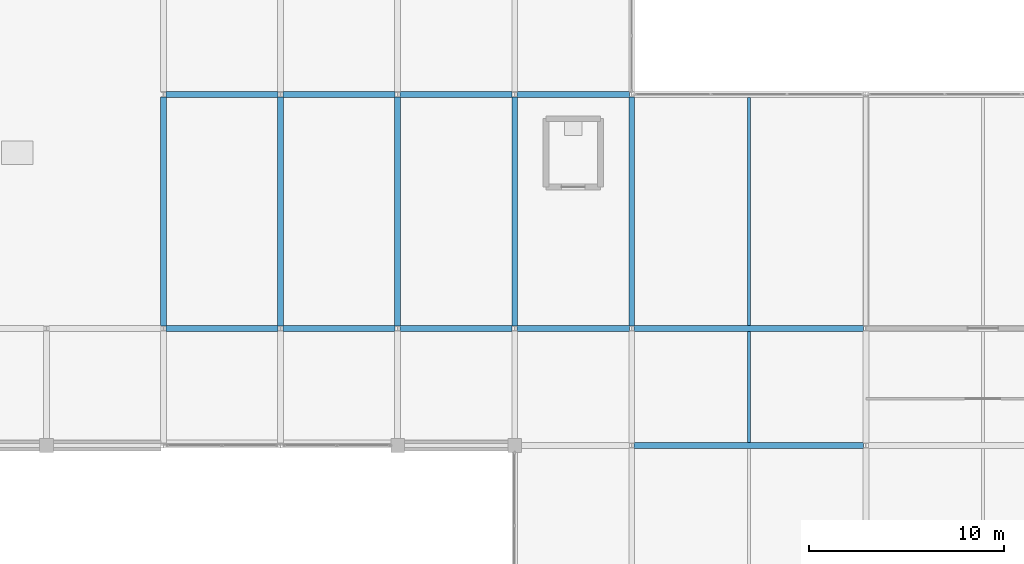
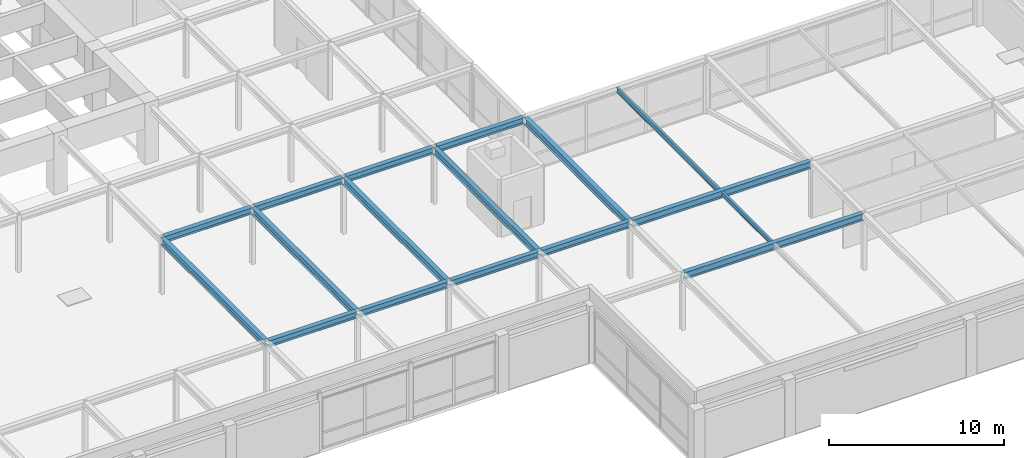
# One storey, part 62 of 111: 17 beams.
"""IFC4 building model written with IfcOpenShell, lengths in metres."""

from ifc_helpers import new_model, si_unit, direction, frame, origin, origin_2d, place, context, subcontext, project, spatial, i_section, extrude, material, material_profile, profile_set, type_object, element, save


model = new_model("IFC4")

# Units and contexts
model_context = context("Model", 3, precision=1e-05, world=origin(), true_north=direction((0.0, 1.0)))
body_context = subcontext(model_context, "Body", "Model", "MODEL_VIEW")
ifc_project = project(units=[si_unit("LENGTHUNIT", "METRE"), si_unit("AREAUNIT", "SQUARE_METRE"), si_unit("VOLUMEUNIT", "CUBIC_METRE"), si_unit("PLANEANGLEUNIT", "RADIAN"), si_unit("MASSUNIT", "GRAM", prefix="KILO")], contexts=[model_context])

# Site, building, storey
site_placement = place(None, origin())
site = spatial("IfcSite", under=ifc_project, at=site_placement, CompositionType="ELEMENT")
building_placement = place(site_placement, origin())
building = spatial("IfcBuilding", under=site, at=building_placement, Name="Zlatovratsky Civic Hall", CompositionType="ELEMENT")
storey_placement = place(building_placement, frame((0.0, 0.0, 16.5)))
storey = spatial("IfcBuildingStorey", under=building, at=storey_placement, Name="L04", CompositionType="ELEMENT", Elevation=16.5)

# Beams
ifc_material = material(Name="Steel S355", Category="steel")
ifc_material_profile_1 = material_profile(ifc_material, i_section(OverallWidth=0.300048828125, OverallDepth=0.487060546875, WebThickness=0.014404296875, FlangeThickness=0.017578125, FilletRadius=0.02392578125, at=origin_2d()), Name="50Sh2")
ifc_profile_set_1 = profile_set([ifc_material_profile_1], Name="Steel S355")
beam_type_1 = type_object("IfcBeamType", Name="Beam_ArchiveGirder_50Sh2", PredefinedType="BEAM", material=ifc_profile_set_1)
for number, where, z_axis, x_axis, name in (
    (1, (120.125, 12.0, 3.756591796875), (1.0, 0.0, 0.0), (0.0, 1.0, 0.0), "BM-3229"),
    (2, (120.125, 18.0, 3.756591796875), (1.0, 0.0, 0.0), (0.0, 1.0, 0.0), "BM-3251"),
    (3, (96.0, 18.125, 3.756591796875), (0.0, 1.0, 0.0), (-1.0, 0.0, 0.0), "BM-3685"),
    (4, (102.0, 18.125, 3.756591796875), (0.0, 1.0, 0.0), (-1.0, 0.0, 0.0), "BM-3696"),
    (5, (108.0, 18.125, 3.756591796875), (0.0, 1.0, 0.0), (-1.0, 0.0, 0.0), "BM-3707"),
    (6, (114.0, 18.125, 3.756591796875), (0.0, 1.0, 0.0), (-1.0, 0.0, 0.0), "BM-3724"),
    (7, (120.0, 18.125, 3.756591796875), (0.0, 1.0, 0.0), (-1.0, 0.0, 0.0), "BM-3741"),
):
    element("IfcBeam", number, at=place(storey_placement, frame(where, z_axis=z_axis, x_axis=x_axis)), inside=storey, type_object=beam_type_1, Name=name, PredefinedType="BEAM", context=body_context, shape_type="SweptSolid", body=[
        extrude(i_section(OverallWidth=0.300048828125, OverallDepth=0.487060546875, WebThickness=0.014404296875, FlangeThickness=0.017578125, FilletRadius=0.02392578125, at=origin_2d()), origin(), (0.0, 0.0, 1.0), 11.75),
    ])
ifc_material_profile_2 = material_profile(ifc_material, i_section(OverallWidth=0.300048828125, OverallDepth=0.43994140625, WebThickness=0.010986328125, FlangeThickness=0.01806640625, FilletRadius=0.02197265625, at=origin_2d()), Name="45Sh1")
ifc_profile_set_2 = profile_set([ifc_material_profile_2], Name="Steel S355")
beam_type_2 = type_object("IfcBeamType", Name="Beam_TowerLow_45Sh1", PredefinedType="BEAM", material=ifc_profile_set_2)
for number, where, z_axis, x_axis, name in (
    (8, (96.125, 18.0, 3.780029296875), (1.0, 0.0, 0.0), (0.0, 1.0, 0.0), "BM-3247"),
    (9, (102.125, 18.0, 3.780029296875), (1.0, 0.0, 0.0), (0.0, 1.0, 0.0), "BM-3248"),
    (10, (108.125, 18.0, 3.780029296875), (1.0, 0.0, 0.0), (0.0, 1.0, 0.0), "BM-3249"),
    (11, (114.125, 18.0, 3.780029296875), (1.0, 0.0, 0.0), (0.0, 1.0, 0.0), "BM-3250"),
    (12, (96.125, 30.0, 3.780029296875), (1.0, 0.0, 0.0), (0.0, 1.0, 0.0), "BM-3265"),
    (13, (102.125, 30.0, 3.780029296875), (1.0, 0.0, 0.0), (0.0, 1.0, 0.0), "BM-3266"),
    (14, (108.125, 30.0, 3.780029296875), (1.0, 0.0, 0.0), (0.0, 1.0, 0.0), "BM-3267"),
    (15, (114.125, 30.0, 3.780029296875), (1.0, 0.0, 0.0), (0.0, 1.0, 0.0), "BM-3268"),
):
    element("IfcBeam", number, at=place(storey_placement, frame(where, z_axis=z_axis, x_axis=x_axis)), inside=storey, type_object=beam_type_2, Name=name, PredefinedType="BEAM", context=body_context, shape_type="SweptSolid", body=[
        extrude(i_section(OverallWidth=0.300048828125, OverallDepth=0.43994140625, WebThickness=0.010986328125, FlangeThickness=0.01806640625, FilletRadius=0.02197265625, at=origin_2d()), origin(), (0.0, 0.0, 1.0), 5.75),
    ])
ifc_material_profile_3 = material_profile(ifc_material, i_section(OverallWidth=0.155029296875, OverallDepth=0.345947265625, WebThickness=0.006103515625, FlangeThickness=0.008544921875, FilletRadius=0.013916015625, at=origin_2d()), Name="35B1")
ifc_profile_set_3 = profile_set([ifc_material_profile_3], Name="Steel S355")
beam_type_3 = type_object("IfcBeamType", Name="Joist_Podium_35B1", PredefinedType="JOIST", material=ifc_profile_set_3)
beam_1_placement = place(storey_placement, frame((126.0, 18.14990234375, 3.826904296875), z_axis=(0.0, 1.0, 0.0), x_axis=(-1.0, 0.0, 0.0)))
element("IfcBeam", 16, at=beam_1_placement, inside=storey, type_object=beam_type_3, Name="BM-3844", PredefinedType="JOIST", context=body_context, shape_type="SweptSolid", body=[
    extrude(i_section(OverallWidth=0.155029296875, OverallDepth=0.345947265625, WebThickness=0.006103515625, FlangeThickness=0.008544921875, FilletRadius=0.013916015625, at=origin_2d()), origin(), (0.0, 0.0, 1.0), 11.7001953125),
])
ifc_material_profile_4 = material_profile(ifc_material, i_section(OverallWidth=0.14892578125, OverallDepth=0.2958984375, WebThickness=0.005615234375, FlangeThickness=0.008056640625, FilletRadius=0.012939453125, at=origin_2d()), Name="30B1")
ifc_profile_set_4 = profile_set([ifc_material_profile_4], Name="Steel S355")
beam_type_4 = type_object("IfcBeamType", Name="Joist_Tower_30B1", PredefinedType="JOIST", material=ifc_profile_set_4)
beam_2_placement = place(storey_placement, frame((126.0, 12.14990234375, 3.85205078125), z_axis=(0.0, 1.0, 0.0), x_axis=(-1.0, 0.0, 0.0)))
element("IfcBeam", 17, at=beam_2_placement, inside=storey, type_object=beam_type_4, Name="BM-3838", PredefinedType="JOIST", context=body_context, shape_type="SweptSolid", body=[
    extrude(i_section(OverallWidth=0.14892578125, OverallDepth=0.2958984375, WebThickness=0.005615234375, FlangeThickness=0.008056640625, FilletRadius=0.012939453125, at=origin_2d()), origin(), (0.0, 0.0, 1.0), 5.7001953125),
])

save(model, "model.ifc")
